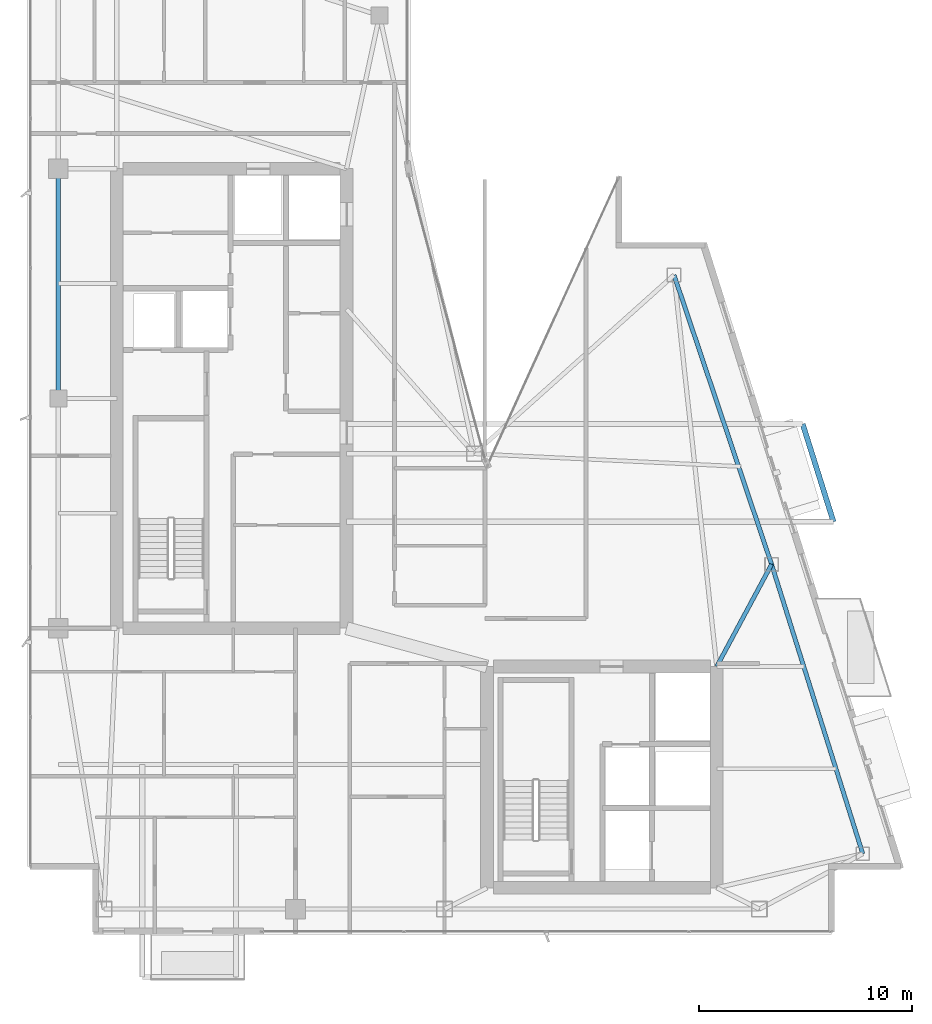
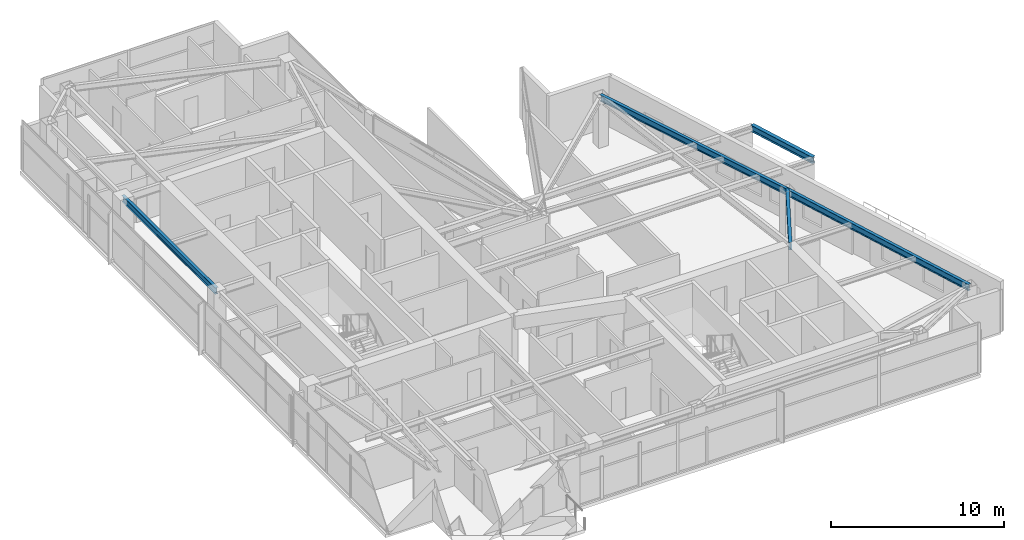
# One storey, part 15 of 27: 5 beams.
"""IFC4 building model written with IfcOpenShell, lengths in metres."""

from ifc_helpers import new_model, si_unit, direction, frame, origin, origin_2d, place, context, subcontext, project, spatial, i_section, extrude, material, material_profile, profile_set, type_object, element, save


model = new_model("IFC4")

# Units and contexts
model_context = context("Model", 3, precision=1e-05, world=origin(), true_north=direction((0.0, 1.0)))
body_context = subcontext(model_context, "Body", "Model", "MODEL_VIEW")
ifc_project = project(units=[si_unit("LENGTHUNIT", "METRE"), si_unit("AREAUNIT", "SQUARE_METRE"), si_unit("VOLUMEUNIT", "CUBIC_METRE"), si_unit("PLANEANGLEUNIT", "RADIAN"), si_unit("MASSUNIT", "GRAM", prefix="KILO")], contexts=[model_context])

# Site, building, storey
site_placement = place(None, origin())
site = spatial("IfcSite", under=ifc_project, at=site_placement, CompositionType="ELEMENT")
building_placement = place(site_placement, origin())
building = spatial("IfcBuilding", under=site, at=building_placement, Name="Calvorn Quay Hotel", CompositionType="ELEMENT")
storey_placement = place(building_placement, frame((0.0, 0.0, 298.699951171875)))
storey = spatial("IfcBuildingStorey", under=building, at=storey_placement, Name="L74", CompositionType="ELEMENT", Elevation=298.699951171875)

# Beams
ifc_material_1 = material(Name="Steel Q355B", Category="steel")
ifc_material_profile_1 = material_profile(ifc_material_1, i_section(OverallWidth=0.25, OverallDepth=0.449951171875, WebThickness=0.011962890625, FlangeThickness=0.01611328125, FilletRadius=0.01611328125, at=origin_2d()), Name="HN450x250x12x16")
ifc_profile_set_1 = profile_set([ifc_material_profile_1], Name="Steel Q355B")
beam_type_1 = type_object("IfcBeamType", Name="BM-CANT-BALC", PredefinedType="BEAM", material=ifc_profile_set_1)
beam_1_placement = place(storey_placement, frame((37.885986328125, 21.800048828125, 3.31494140625), z_axis=(-0.300450487966, 0.953797412599, 0.0), x_axis=(-0.953797412599, -0.300450487966, 0.0)))
element("IfcBeam", 1, at=beam_1_placement, inside=storey, type_object=beam_type_1, Name="Beam BCBO-L75-1", PredefinedType="BEAM", context=body_context, shape_type="SweptSolid", body=[
    extrude(i_section(OverallWidth=0.25, OverallDepth=0.449951171875, WebThickness=0.011962890625, FlangeThickness=0.01611328125, FilletRadius=0.01611328125, at=origin_2d()), origin(), (0.0, 0.0, 1.0), 4.82275390625),
])
ifc_material_2 = material(Name="Steel Q355B", Category="steel")
ifc_material_profile_2 = material_profile(ifc_material_2, i_section(OverallWidth=0.199951171875, OverallDepth=0.550048828125, WebThickness=0.010009765625, FlangeThickness=0.01611328125, FilletRadius=0.01806640625, at=origin_2d()), Name="HN550x200x10x16")
ifc_profile_set_2 = profile_set([ifc_material_profile_2], Name="Steel Q355B")
beam_type_2 = type_object("IfcBeamType", Name="BM-GIRD-UPP", PredefinedType="BEAM", material=ifc_profile_set_2)
beam_2_placement = place(storey_placement, frame((32.39990234375, 15.0, 3.26513671875), z_axis=(0.472894086188, 0.881119278672, 0.0), x_axis=(-0.881119278672, 0.472894086188, 0.0)))
element("IfcBeam", 2, at=beam_2_placement, inside=storey, type_object=beam_type_2, Name="Beam BG-L74-E2", PredefinedType="BEAM", context=body_context, shape_type="SweptSolid", body=[
    extrude(i_section(OverallWidth=0.199951171875, OverallDepth=0.550048828125, WebThickness=0.010009765625, FlangeThickness=0.01611328125, FilletRadius=0.01806640625, at=origin_2d()), origin(), (0.0, 0.0, 1.0), 5.44775390625),
])
ifc_material_3 = material(Name="Steel Q355B", Category="steel")
ifc_material_profile_3 = material_profile(ifc_material_3, i_section(OverallWidth=0.199951171875, OverallDepth=0.449951171875, WebThickness=0.009033203125, FlangeThickness=0.013916015625, FilletRadius=0.01611328125, at=origin_2d()), Name="HN450x200x9x14")
ifc_profile_set_3 = profile_set([ifc_material_profile_3], Name="Steel Q355B")
beam_type_3 = type_object("IfcBeamType", Name="BM-SPANDREL-Z3", PredefinedType="SPANDREL", material=ifc_profile_set_3)
beam_3_placement = place(storey_placement, frame((1.449951171875, 27.60009765625, 3.31494140625), z_axis=(0.0, 1.0, 0.0), x_axis=(-1.0, 0.0, 0.0)))
element("IfcBeam", 3, at=beam_3_placement, inside=storey, type_object=beam_type_3, Name="Beam BSP-L74-W3", PredefinedType="SPANDREL", context=body_context, shape_type="SweptSolid", body=[
    extrude(i_section(OverallWidth=0.199951171875, OverallDepth=0.449951171875, WebThickness=0.009033203125, FlangeThickness=0.013916015625, FilletRadius=0.01611328125, at=origin_2d()), origin(), (0.0, 0.0, 1.0), 10.7998046875),
])
beam_4_placement = place(storey_placement, frame((39.260986328125, 6.199951171875, 3.31494140625), z_axis=(-0.300502802767, 0.953780931624, 0.0), x_axis=(-0.953780931624, -0.300502802767, 0.0)))
element("IfcBeam", 4, at=beam_4_placement, inside=storey, type_object=beam_type_3, Name="Beam BSP-L74-E1", PredefinedType="SPANDREL", context=body_context, shape_type="SweptSolid", body=[
    extrude(i_section(OverallWidth=0.199951171875, OverallDepth=0.449951171875, WebThickness=0.009033203125, FlangeThickness=0.013916015625, FilletRadius=0.01611328125, at=origin_2d()), origin(), (0.0, 0.0, 1.0), 14.259033203125),
])
beam_5_placement = place(storey_placement, frame((34.97607421875, 19.800048828125, 3.31494140625), z_axis=(-0.319466515944, 0.947597564998, 0.0), x_axis=(-0.947597564998, -0.319466515944, 0.0)))
element("IfcBeam", 5, at=beam_5_placement, inside=storey, type_object=beam_type_3, Name="Beam BSP-L74-E2", PredefinedType="SPANDREL", context=body_context, shape_type="SweptSolid", body=[
    extrude(i_section(OverallWidth=0.199951171875, OverallDepth=0.449951171875, WebThickness=0.009033203125, FlangeThickness=0.013916015625, FilletRadius=0.01611328125, at=origin_2d()), origin(), (0.0, 0.0, 1.0), 14.35205078125),
])

save(model, "model.ifc")
